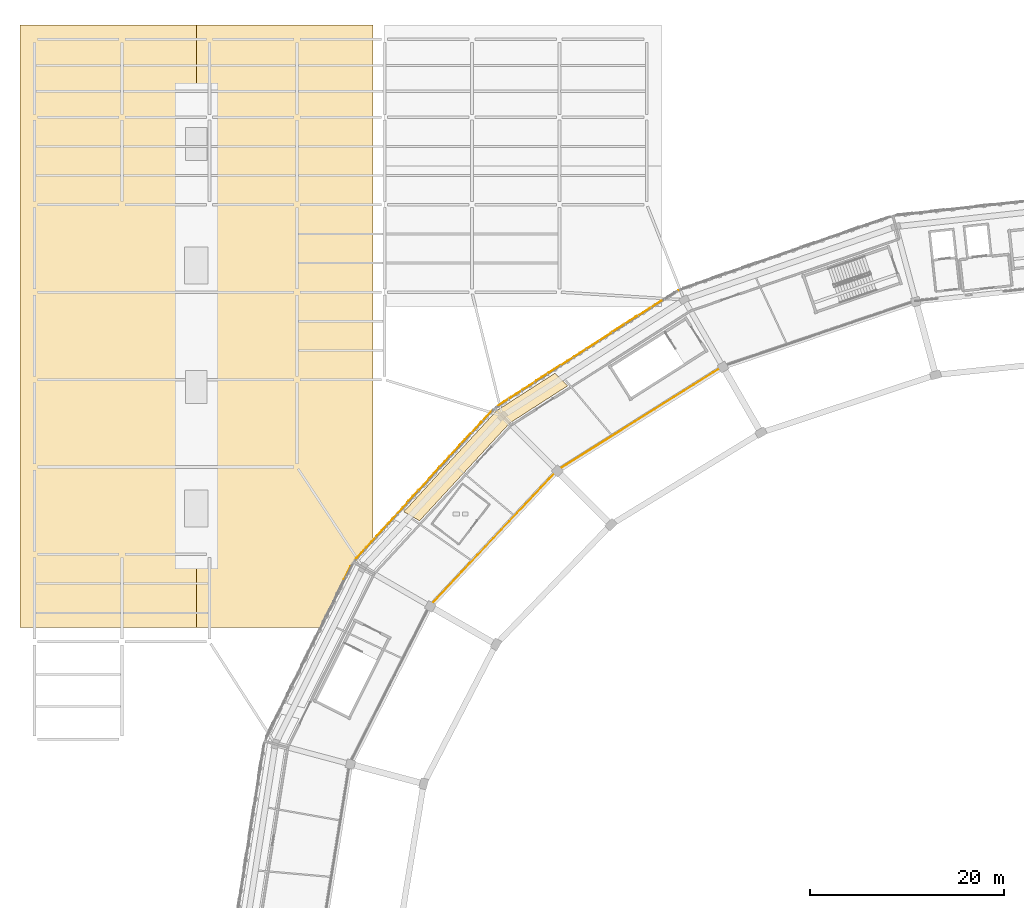
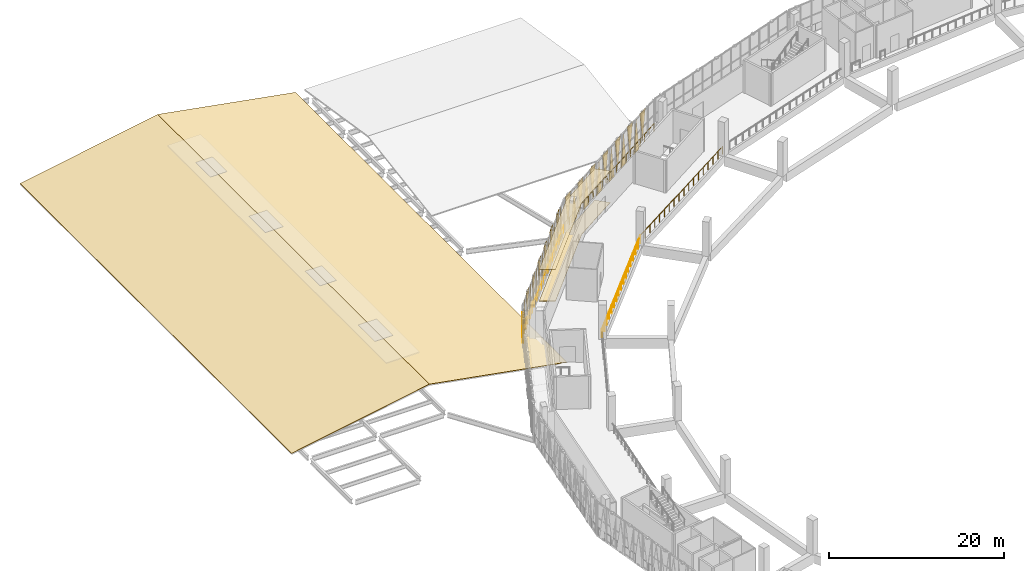
# One storey, part 98 of 108: 31 coverings, 4 railings.
"""IFC4 building model written with IfcOpenShell, lengths in metres."""

from ifc_helpers import new_model, si_unit, direction, frame, origin, origin_2d, place, context, subcontext, project, spatial, polyline, circle, outline, extrude, material, layer, layer_set, type_object, element, save


model = new_model("IFC4")

# Units and contexts
model_context = context("Model", 3, precision=1e-05, world=origin(), true_north=direction((0.0, 1.0)))
body_context = subcontext(model_context, "Body", "Model", "MODEL_VIEW")
ifc_project = project(units=[si_unit("LENGTHUNIT", "METRE"), si_unit("AREAUNIT", "SQUARE_METRE"), si_unit("VOLUMEUNIT", "CUBIC_METRE"), si_unit("PLANEANGLEUNIT", "RADIAN"), si_unit("MASSUNIT", "GRAM", prefix="KILO")], contexts=[model_context])

# Site, building, storey
site_placement = place(None, origin())
site = spatial("IfcSite", under=ifc_project, at=site_placement, CompositionType="ELEMENT")
building_placement = place(site_placement, origin())
building = spatial("IfcBuilding", under=site, at=building_placement, Name="Zevraka Park Crest Stadium", CompositionType="ELEMENT")
storey_placement = place(building_placement, frame((0.0, 0.0, 19.800048828125)))
storey = spatial("IfcBuildingStorey", under=building, at=storey_placement, Name="L04", CompositionType="ELEMENT", Elevation=19.800048828125)

# Coverings
ifc_material_1 = material(Name="Architectural golden-bronze perforated aluminium", Category="aluminium")
ifc_layer_1 = layer(ifc_material_1, 0.034912109375)
ifc_layer_set_1 = layer_set([ifc_layer_1], Name="Architectural golden-bronze perforated aluminium")
covering_type_1 = type_object("IfcCoveringType", Name="CLD01", PredefinedType="CLADDING", material=ifc_layer_set_1)
covering_1_placement = place(storey_placement, frame((63.340087890625, 156.384033203125, 4.52001953125), z_axis=(-0.540195362812, 0.841539638734, 8.0223789e-05), x_axis=(0.841539641442, 0.54019536455, 0.0)))
element("IfcCovering", 1, at=covering_1_placement, inside=storey, type_object=covering_type_1, Name="Triangular Golden-Bronze Perforated Cladding L04-08-2", PredefinedType="CLADDING", context=body_context, shape_type="SweptSolid", body=[
    extrude(outline(polyline([(0.0, 0.0), (1.382963204657725, -2.0328790734103208e-20), (0.6918480966037213, 4.300048841962249), (0.0, 0.0)])), origin(), (0.0, 0.0, -1.0), 0.034912109375),
])
covering_2_placement = place(storey_placement, frame((63.205078125, 156.298095703125, -0.219970703125), z_axis=(-0.540294068844, 0.841476271712, 5.7603718e-05), x_axis=(-0.841476273108, -0.540294069741, 0.0)))
element("IfcCovering", 2, at=covering_2_placement, inside=storey, type_object=covering_type_1, Name="Triangular Golden-Bronze Perforated Cladding L04-08-3", PredefinedType="CLADDING", context=body_context, shape_type="SweptSolid", body=[
    extrude(outline(polyline([(0.0, 0.0), (1.384518018787818, 0.0), (0.6918481323074307, 4.579833991973376), (0.0, 0.0)])), origin(), (0.0, 0.0, -1.0), 0.034912109375),
])
covering_3_placement = place(storey_placement, frame((60.740966796875, 154.717041015625, 4.52001953125), z_axis=(0.539794341727, -0.841796927687, 3.4293146e-05), x_axis=(0.841796928182, 0.539794342045, 0.0)))
element("IfcCovering", 3, at=covering_3_placement, inside=storey, type_object=covering_type_1, Name="Triangular Golden-Bronze Perforated Cladding L04-08-4", PredefinedType="CLADDING", context=body_context, shape_type="SweptSolid", body=[
    extrude(outline(polyline([(0.0, 0.0), (1.3839906318215187, 0.0), (0.691320710798344, -4.300048830653472), (0.0, 0.0)])), origin(), (0.0, 0.0, -1.0), 0.034912109375),
])
covering_4_placement = place(storey_placement, frame((60.60595703125, 154.6298828125, -0.219970703125), z_axis=(0.539669320055, -0.841877082479, 5.4659314e-05), x_axis=(-0.841877083737, -0.539669320861, 0.0)))
element("IfcCovering", 4, at=covering_4_placement, inside=storey, type_object=covering_type_1, Name="Triangular Golden-Bronze Perforated Cladding L04-08-5", PredefinedType="CLADDING", context=body_context, shape_type="SweptSolid", body=[
    extrude(outline(polyline([(0.0, 0.0), (1.383858861354129, 0.0), (0.6911889698690501, -4.579833991216449), (0.0, 0.0)])), origin(), (0.0, 0.0, -1.0), 0.034912109375),
])
covering_5_placement = place(storey_placement, frame((58.14208984375, 153.049072265625, 4.52001953125), z_axis=(-0.540374248914, 0.841424785107, 4.6020631e-05), x_axis=(0.841424785998, 0.540374249486, 0.0)))
element("IfcCovering", 5, at=covering_5_placement, inside=storey, type_object=covering_type_1, Name="Triangular Golden-Bronze Perforated Cladding L04-08-6", PredefinedType="CLADDING", context=body_context, shape_type="SweptSolid", body=[
    extrude(outline(polyline([(0.0, 0.0), (1.38431258652916, -6.776263578034403e-21), (0.6918481543048638, 4.300048832678534), (0.0, 0.0)])), origin(), (0.0, 0.0, -1.0), 0.034912109375),
])
covering_6_placement = place(storey_placement, frame((58.007080078125, 152.962890625, -0.219970703125), z_axis=(-0.539669316655, 0.841877077175, 0.000124854963), x_axis=(-0.841877083737, -0.539669320861, 0.0)))
element("IfcCovering", 6, at=covering_6_placement, inside=storey, type_object=covering_type_1, Name="Triangular Golden-Bronze Perforated Cladding L04-08-7", PredefinedType="CLADDING", context=body_context, shape_type="SweptSolid", body=[
    extrude(outline(polyline([(0.0, 0.0), (1.383858861354129, 0.0), (0.6917159906902037, 4.579834020071972), (0.0, 0.0)])), origin(), (0.0, 0.0, -1.0), 0.034912109375),
])
covering_7_placement = place(storey_placement, frame((55.54296875, 151.382080078125, 4.52001953125), z_axis=(-0.539669312043, 0.84187706998, 0.000180777341), x_axis=(0.841877083737, 0.539669320861, 0.0)))
element("IfcCovering", 7, at=covering_7_placement, inside=storey, type_object=covering_type_1, Name="Triangular Golden-Bronze Perforated Cladding L04-08-8", PredefinedType="CLADDING", context=body_context, shape_type="SweptSolid", body=[
    extrude(outline(polyline([(0.0, 0.0), (1.383858861354129, -2.710505431213761e-20), (0.6918477458954921, 4.300048898388761), (0.0, 0.0)])), origin(), (0.0, 0.0, -1.0), 0.034912109375),
])
covering_8_placement = place(storey_placement, frame((55.407958984375, 151.2958984375, -0.219970703125), z_axis=(-0.540169191028, 0.841556441261, 3.5159665e-05), x_axis=(-0.841556441782, -0.540169191361, 0.0)))
element("IfcCovering", 8, at=covering_8_placement, inside=storey, type_object=covering_type_1, Name="Triangular Golden-Bronze Perforated Cladding L04-08-9", PredefinedType="CLADDING", context=body_context, shape_type="SweptSolid", body=[
    extrude(outline(polyline([(0.0, 0.0), (1.3843861262991644, -3.3881317890172014e-21), (0.6917162082962512, 4.5798339872058005), (0.0, 0.0)])), origin(), (0.0, 0.0, -1.0), 0.034912109375),
])
covering_9_placement = place(storey_placement, frame((52.944091796875, 149.715087890625, 4.52001953125), z_axis=(0.539749483727, -0.841825690377, 4.2876882e-05), x_axis=(0.84182569115, 0.539749484223, 0.0)))
element("IfcCovering", 9, at=covering_9_placement, inside=storey, type_object=covering_type_1, Name="Triangular Golden-Bronze Perforated Cladding L04-08-10", PredefinedType="CLADDING", context=body_context, shape_type="SweptSolid", body=[
    extrude(outline(polyline([(0.0, 0.0), (1.3836533312297754, 0.0), (0.6909834190478873, -4.300048832077664), (0.0, 0.0)])), origin(), (0.0, 0.0, -1.0), 0.034912109375),
])
covering_10_placement = place(storey_placement, frame((52.80908203125, 149.6279296875, -0.219970703125), z_axis=(0.539669320836, -0.841877083696, 9.780744e-06), x_axis=(-0.841877083737, -0.539669320861, 0.0)))
element("IfcCovering", 10, at=covering_10_placement, inside=storey, type_object=covering_type_1, Name="Triangular Golden-Bronze Perforated Cladding L04-08-11", PredefinedType="CLADDING", context=body_context, shape_type="SweptSolid", body=[
    extrude(outline(polyline([(0.0, 0.0), (1.383858861354129, 0.0), (0.6913207250743385, -4.57983398459406), (0.0, 0.0)])), origin(), (0.0, 0.0, -1.0), 0.034912109375),
])
covering_11_placement = place(storey_placement, frame((50.344970703125, 148.047119140625, 4.52001953125), z_axis=(-0.540169190983, 0.841556441191, 3.7447349e-05), x_axis=(0.841556441782, 0.540169191361, 0.0)))
element("IfcCovering", 11, at=covering_11_placement, inside=storey, type_object=covering_type_1, Name="Triangular Golden-Bronze Perforated Cladding L04-08-12", PredefinedType="CLADDING", context=body_context, shape_type="SweptSolid", body=[
    extrude(outline(polyline([(0.0, 0.0), (1.3843861262991644, -6.776263578034403e-21), (0.6917162082962512, 4.300048831139988), (0.0, 0.0)])), origin(), (0.0, 0.0, -1.0), 0.034912109375),
])
covering_12_placement = place(storey_placement, frame((50.2099609375, 147.9609375, -0.219970703125), z_axis=(-0.539990084458, 0.84167137061, 0.000112169008), x_axis=(-0.841671375905, -0.539990087855, 0.0)))
element("IfcCovering", 12, at=covering_12_placement, inside=storey, type_object=covering_type_1, Name="Triangular Golden-Bronze Perforated Cladding L04-08-13", PredefinedType="CLADDING", context=body_context, shape_type="SweptSolid", body=[
    extrude(outline(polyline([(0.0, 0.0), (1.3830368161779776, 1.3552527156068805e-20), (0.6918479918828457, 4.579834013186477), (0.0, 0.0)])), origin(), (0.0, 0.0, -1.0), 0.034912109375),
])
covering_13_placement = place(storey_placement, frame((47.74609375, 146.3798828125, 4.52001953125), z_axis=(-0.539874500701, 0.841745504197, 0.000172212415), x_axis=(0.841745516679, 0.539874508706, 0.0)))
element("IfcCovering", 13, at=covering_13_placement, inside=storey, type_object=covering_type_1, Name="Triangular Golden-Bronze Perforated Cladding L04-08-14", PredefinedType="CLADDING", context=body_context, shape_type="SweptSolid", body=[
    extrude(outline(polyline([(0.0, 0.0), (1.3837851212687016, 2.710505431213761e-20), (0.6916424105429726, 4.300048891888524), (0.0, 0.0)])), origin(), (0.0, 0.0, -1.0), 0.034912109375),
])
covering_14_placement = place(storey_placement, frame((46.94189453125, 145.7041015625, -0.219970703125), z_axis=(-0.73669182447, 0.6762286266, 1.8024112e-05), x_axis=(-0.67622862671, -0.73669182459, 0.0)))
element("IfcCovering", 14, at=covering_14_placement, inside=storey, type_object=covering_type_1, Name="Triangular Golden-Bronze Perforated Cladding L04-09-1", PredefinedType="CLADDING", context=body_context, shape_type="SweptSolid", body=[
    extrude(outline(polyline([(0.0, 0.0), (1.4253569716340697, 3.3881317890172014e-21), (0.7127684140182788, 4.579833985118923), (0.0, 0.0)])), origin(), (0.0, 0.0, -1.0), 0.034912109375),
])
covering_15_placement = place(storey_placement, frame((44.906005859375, 143.486083984375, 4.52001953125), z_axis=(-0.73652814677, 0.67640689572, 2.0908651e-05), x_axis=(0.676406895868, 0.736528146931, 0.0)))
element("IfcCovering", 15, at=covering_15_placement, inside=storey, type_object=covering_type_1, Name="Triangular Golden-Bronze Perforated Cladding L04-09-2", PredefinedType="CLADDING", context=body_context, shape_type="SweptSolid", body=[
    extrude(outline(polyline([(0.0, 0.0), (1.4253422518524892, -3.3881317890172014e-21), (0.7125885567250888, 4.30004882906493), (0.0, 0.0)])), origin(), (0.0, 0.0, -1.0), 0.034912109375),
])
covering_16_placement = place(storey_placement, frame((44.798095703125, 143.367919921875, -0.219970703125), z_axis=(0.736869540714, -0.676034962353, 9.8202135e-05), x_axis=(-0.676034965613, -0.736869544267, 0.0)))
element("IfcCovering", 16, at=covering_16_placement, inside=storey, type_object=covering_type_1, Name="Triangular Golden-Bronze Perforated Cladding L04-09-3", PredefinedType="CLADDING", context=body_context, shape_type="SweptSolid", body=[
    extrude(outline(polyline([(0.0, 0.0), (1.4246818798077332, -1.3552527156068805e-20), (0.712753558901433, -4.57983400645818), (0.0, 0.0)])), origin(), (0.0, 0.0, -1.0), 0.034912109375),
])
covering_17_placement = place(storey_placement, frame((42.762939453125, 141.14990234375, 4.52001953125), z_axis=(0.736947844545, -0.675949603983, 8.5413888e-05), x_axis=(0.675949606449, 0.736947847233, 0.0)))
element("IfcCovering", 17, at=covering_17_placement, inside=storey, type_object=covering_type_1, Name="Triangular Golden-Bronze Perforated Cladding L04-09-4", PredefinedType="CLADDING", context=body_context, shape_type="SweptSolid", body=[
    extrude(outline(polyline([(0.0, 0.0), (1.4248617891578852, -1.3552527156068805e-20), (0.7129334209314178, -4.300048843810572), (0.0, 0.0)])), origin(), (0.0, 0.0, -1.0), 0.034912109375),
])
covering_18_placement = place(storey_placement, frame((42.655029296875, 141.031982421875, -0.219970703125), z_axis=(0.736292908561, -0.676662949943, 7.0553383e-05), x_axis=(-0.676662951627, -0.736292910393, 0.0)))
element("IfcCovering", 18, at=covering_18_placement, inside=storey, type_object=covering_type_1, Name="Triangular Golden-Bronze Perforated Cladding L04-09-5", PredefinedType="CLADDING", context=body_context, shape_type="SweptSolid", body=[
    extrude(outline(polyline([(0.0, 0.0), (1.4248028886560142, 1.3552527156068805e-20), (0.7118694463417287, -4.579833995773702), (0.0, 0.0)])), origin(), (0.0, 0.0, -1.0), 0.034912109375),
])
covering_19_placement = place(storey_placement, frame((40.618896484375, 138.81494140625, 4.52001953125), z_axis=(0.736606499774, -0.676321568847, 1.711376e-06), x_axis=(0.676321568848, 0.736606499776, 0.0)))
element("IfcCovering", 19, at=covering_19_placement, inside=storey, type_object=covering_type_1, Name="Triangular Golden-Bronze Perforated Cladding L04-09-6", PredefinedType="CLADDING", context=body_context, shape_type="SweptSolid", body=[
    extrude(outline(polyline([(0.0, 0.0), (1.4255220778597701, 2.117582368135751e-22), (0.7129335155007621, -4.300048828131297), (0.0, 0.0)])), origin(), (0.0, 0.0, -1.0), 0.034912109375),
])
covering_20_placement = place(storey_placement, frame((40.510986328125, 138.697021484375, -0.219970703125), z_axis=(-0.737033202812, 0.675856533804, 6.0564963e-05), x_axis=(-0.675856535043, -0.737033204163, 0.0)))
element("IfcCovering", 20, at=covering_20_placement, inside=storey, type_object=covering_type_1, Name="Triangular Golden-Bronze Perforated Cladding L04-09-7", PredefinedType="CLADDING", context=body_context, shape_type="SweptSolid", body=[
    extrude(outline(polyline([(0.0, 0.0), (1.4246967737590959, -6.776263578034403e-21), (0.7119284089322413, 4.579833992774678), (0.0, 0.0)])), origin(), (0.0, 0.0, -1.0), 0.034912109375),
])
covering_21_placement = place(storey_placement, frame((38.47607421875, 136.47900390625, 4.52001953125), z_axis=(0.736691824454, -0.676228626586, 1.9196861e-05), x_axis=(0.67622862671, 0.73669182459, 0.0)))
element("IfcCovering", 21, at=covering_21_placement, inside=storey, type_object=covering_type_1, Name="Triangular Golden-Bronze Perforated Cladding L04-09-8", PredefinedType="CLADDING", context=body_context, shape_type="SweptSolid", body=[
    extrude(outline(polyline([(0.0, 0.0), (1.4253569716340697, 1.6940658945086007e-21), (0.712588557615791, -4.300048828917326), (0.0, 0.0)])), origin(), (0.0, 0.0, -1.0), 0.034912109375),
])
covering_22_placement = place(storey_placement, frame((38.367919921875, 136.361083984375, -0.219970703125), z_axis=(-0.736378282027, 0.676570038968, 9.0166059e-05), x_axis=(-0.676570041718, -0.736378285021, 0.0)))
element("IfcCovering", 22, at=covering_22_placement, inside=storey, type_object=covering_type_1, Name="Triangular Golden-Bronze Perforated Cladding L04-09-9", PredefinedType="CLADDING", context=body_context, shape_type="SweptSolid", body=[
    extrude(outline(polyline([(0.0, 0.0), (1.4246376990809737, -1.3552527156068805e-20), (0.7127682991773403, 4.579834002991838), (0.0, 0.0)])), origin(), (0.0, 0.0, -1.0), 0.034912109375),
])
covering_23_placement = place(storey_placement, frame((36.3330078125, 134.14404296875, 4.52001953125), z_axis=(-0.73703320263, 0.675856533637, 6.4505657e-05), x_axis=(0.675856535043, 0.737033204163, 0.0)))
element("IfcCovering", 23, at=covering_23_placement, inside=storey, type_object=covering_type_1, Name="Triangular Golden-Bronze Perforated Cladding L04-09-10", PredefinedType="CLADDING", context=body_context, shape_type="SweptSolid", body=[
    extrude(outline(polyline([(0.0, 0.0), (1.4246967737590959, 0.0), (0.7119284089322413, 4.300048837071208), (0.0, 0.0)])), origin(), (0.0, 0.0, -1.0), 0.034912109375),
])
covering_24_placement = place(storey_placement, frame((36.22412109375, 134.02587890625, -0.219970703125), z_axis=(-0.736869542988, 0.676034964439, 5.8921281e-05), x_axis=(-0.676034965613, -0.736869544267, 0.0)))
element("IfcCovering", 24, at=covering_24_placement, inside=storey, type_object=covering_type_1, Name="Triangular Golden-Bronze Perforated Cladding L04-09-11", PredefinedType="CLADDING", context=body_context, shape_type="SweptSolid", body=[
    extrude(outline(polyline([(0.0, 0.0), (1.4246818798077332, 0.0), (0.7120933685053268, 4.579833992324945), (0.0, 0.0)])), origin(), (0.0, 0.0, -1.0), 0.034912109375),
])
covering_25_placement = place(storey_placement, frame((34.18896484375, 131.80810546875, 4.52001953125), z_axis=(-0.73652814677, 0.67640689572, 2.0908651e-05), x_axis=(0.676406895868, 0.736528146931, 0.0)))
element("IfcCovering", 25, at=covering_25_placement, inside=storey, type_object=covering_type_1, Name="Triangular Golden-Bronze Perforated Cladding L04-09-12", PredefinedType="CLADDING", context=body_context, shape_type="SweptSolid", body=[
    extrude(outline(polyline([(0.0, 0.0), (1.4253422518524892, -3.3881317890172014e-21), (0.7125885567250888, 4.30004882906493), (0.0, 0.0)])), origin(), (0.0, 0.0, -1.0), 0.034912109375),
])
covering_26_placement = place(storey_placement, frame((34.0810546875, 131.68994140625, -0.219970703125), z_axis=(-0.736606499775, 0.676321568847, 1.606827e-06), x_axis=(-0.676321568848, -0.736606499776, 0.0)))
element("IfcCovering", 26, at=covering_26_placement, inside=storey, type_object=covering_type_1, Name="Triangular Golden-Bronze Perforated Cladding L04-09-13", PredefinedType="CLADDING", context=body_context, shape_type="SweptSolid", body=[
    extrude(outline(polyline([(0.0, 0.0), (1.4255220778597701, 2.117582368135751e-22), (0.7125885623590082, 4.579833984380912), (0.0, 0.0)])), origin(), (0.0, 0.0, -1.0), 0.034912109375),
])
covering_27_placement = place(storey_placement, frame((32.52392578125, 129.77490234375, -0.219970703125), z_axis=(0.895905829661, -0.444244013052, 3.5324757e-05), x_axis=(-0.444244013329, -0.89590583022, 0.0)))
element("IfcCovering", 27, at=covering_27_placement, inside=storey, type_object=covering_type_1, Name="Triangular Golden-Bronze Perforated Cladding L04-10-1", PredefinedType="CLADDING", context=body_context, shape_type="SweptSolid", body=[
    extrude(outline(polyline([(0.0, 0.0), (1.4810756355382801, -3.3881317890172014e-21), (0.7399367712402793, -4.579833987232447), (0.0, 0.0)])), origin(), (0.0, 0.0, -1.0), 0.034912109375),
])
ifc_material_2 = material(Name="Perforated acoustic mineral-fibre suspended ceiling", Category="other")
ifc_layer_2 = layer(ifc_material_2, 0.02490234375)
ifc_layer_set_2 = layer_set([ifc_layer_2], Name="Perforated acoustic mineral-fibre suspended ceiling")
covering_type_2 = type_object("IfcCoveringType", Name="CLG01", PredefinedType="CEILING", material=ifc_layer_set_2)
covering_28_placement = place(storey_placement, frame((0.0, 0.0, 4.39990234375)))
element("IfcCovering", 28, at=covering_28_placement, inside=storey, type_object=covering_type_2, Name="Acoustic Ceiling Hospitality Suite L04-031", PredefinedType="CEILING", context=body_context, shape_type="SweptSolid", body=[
    extrude(outline(polyline([(37.9951171875, 135.39306640625), (47.54296875, 145.797119140625), (53.5400390625, 149.64404296875), (54.85400390625, 148.35791015625), (48.9169921875, 144.535888671875), (48.903076171875, 144.52587890625), (48.889892578125, 144.51611328125), (48.8779296875, 144.50390625), (39.617919921875, 134.468994140625), (37.9951171875, 135.39306640625)])), origin(), (0.0, 0.0, 1.0), 0.025146484375),
])
ifc_material_3 = material(Name="Honed terrazzo and slip-resistant sports flooring", Category="other")
ifc_layer_3 = layer(ifc_material_3, 0.0400390625)
ifc_layer_set_3 = layer_set([ifc_layer_3], Name="Honed terrazzo and slip-resistant sports flooring")
covering_type_3 = type_object("IfcCoveringType", Name="FLR01", PredefinedType="FLOORING", material=ifc_layer_set_3)
covering_29_placement = place(storey_placement, origin())
element("IfcCovering", 29, at=covering_29_placement, inside=storey, type_object=covering_type_3, Name="Terrazzo Floor Finish Hospitality Suite L04-031", PredefinedType="FLOORING", context=body_context, shape_type="SweptSolid", body=[
    extrude(outline(polyline([(37.9951171875, 135.39306640625), (47.54296875, 145.797119140625), (53.5400390625, 149.64404296875), (54.85400390625, 148.35791015625), (48.9169921875, 144.535888671875), (48.903076171875, 144.52587890625), (48.889892578125, 144.51611328125), (48.8779296875, 144.50390625), (39.617919921875, 134.468994140625), (37.9951171875, 135.39306640625)])), origin(), (0.0, 0.0, 1.0), 0.0400390625),
])

# Railings
ifc_material_4 = material(Name="Galvanised and bronze-finished steel balustrade", Category="steel")
railing_type = type_object("IfcRailingType", Name="GR01", PredefinedType="GUARDRAIL", material=ifc_material_4)
railing_1_placement = place(storey_placement, frame((33.076904296875, 130.492919921875, 0.0)))
element("IfcRailing", 30, at=railing_1_placement, inside=storey, type_object=railing_type, Name="Deck Edge Protection Guardrail GR01 L04-3", PredefinedType="GUARDRAIL", context=body_context, shape_type="SweptSolid", body=[
    extrude(circle(Radius=0.02392578125, at=origin_2d()), frame((0.0, 0.0, 1.076171875), z_axis=(0.676163570865, 0.736751535753, 0.0), x_axis=(-0.736751535753, 0.676163570865, 0.0)), (0.0, 0.0, 1.0), 20.748046875),
    extrude(circle(Radius=0.02099609375, at=origin_2d()), origin(), (0.0, 0.0, 1.0), 1.052001953125),
    extrude(circle(Radius=0.02099609375, at=origin_2d()), frame((0.779296875, 0.84912109375, 0.0)), (0.0, 0.0, 1.0), 1.052001953125),
    extrude(circle(Radius=0.02099609375, at=origin_2d()), frame((1.558837890625, 1.698486328125, 0.0)), (0.0, 0.0, 1.0), 1.052001953125),
    extrude(circle(Radius=0.02099609375, at=origin_2d()), frame((2.338134765625, 2.547607421875, 0.0)), (0.0, 0.0, 1.0), 1.052001953125),
    extrude(circle(Radius=0.02099609375, at=origin_2d()), frame((3.11767578125, 3.39697265625, 0.0)), (0.0, 0.0, 1.0), 1.052001953125),
    extrude(circle(Radius=0.02099609375, at=origin_2d()), frame((3.89697265625, 4.24609375, 0.0)), (0.0, 0.0, 1.0), 1.052001953125),
    extrude(circle(Radius=0.02099609375, at=origin_2d()), frame((4.67626953125, 5.095458984375, 0.0)), (0.0, 0.0, 1.0), 1.052001953125),
    extrude(circle(Radius=0.02099609375, at=origin_2d()), frame((5.455810546875, 5.944580078125, 0.0)), (0.0, 0.0, 1.0), 1.052001953125),
    extrude(circle(Radius=0.02099609375, at=origin_2d()), frame((6.235107421875, 6.7939453125, 0.0)), (0.0, 0.0, 1.0), 1.052001953125),
    extrude(circle(Radius=0.02099609375, at=origin_2d()), frame((7.0146484375, 7.64306640625, 0.0)), (0.0, 0.0, 1.0), 1.052001953125),
    extrude(circle(Radius=0.02099609375, at=origin_2d()), frame((7.7939453125, 8.4921875, 0.0)), (0.0, 0.0, 1.0), 1.052001953125),
    extrude(circle(Radius=0.02099609375, at=origin_2d()), frame((8.5732421875, 9.341552734375, 0.0)), (0.0, 0.0, 1.0), 1.052001953125),
    extrude(circle(Radius=0.02099609375, at=origin_2d()), frame((9.352783203125, 10.190673828125, 0.0)), (0.0, 0.0, 1.0), 1.052001953125),
    extrude(circle(Radius=0.02099609375, at=origin_2d()), frame((10.132080078125, 11.0400390625, 0.0)), (0.0, 0.0, 1.0), 1.052001953125),
    extrude(circle(Radius=0.02099609375, at=origin_2d()), frame((10.911376953125, 11.88916015625, 0.0)), (0.0, 0.0, 1.0), 1.052001953125),
    extrude(circle(Radius=0.02099609375, at=origin_2d()), frame((11.69091796875, 12.738525390625, 0.0)), (0.0, 0.0, 1.0), 1.052001953125),
    extrude(circle(Radius=0.02099609375, at=origin_2d()), frame((12.47021484375, 13.587646484375, 0.0)), (0.0, 0.0, 1.0), 1.052001953125),
    extrude(circle(Radius=0.02099609375, at=origin_2d()), frame((13.249755859375, 14.43701171875, 0.0)), (0.0, 0.0, 1.0), 1.052001953125),
    extrude(circle(Radius=0.02099609375, at=origin_2d()), frame((14.029052734375, 15.2861328125, 0.0)), (0.0, 0.0, 1.0), 1.052001953125),
])
railing_2_placement = place(storey_placement, frame((47.660888671875, 146.241943359375, 0.0)))
element("IfcRailing", 31, at=railing_2_placement, inside=storey, type_object=railing_type, Name="Deck Edge Protection Guardrail GR01 L04-4", PredefinedType="GUARDRAIL", context=body_context, shape_type="SweptSolid", body=[
    extrude(circle(Radius=0.02392578125, at=origin_2d()), frame((0.0, 0.0, 1.076171875), z_axis=(0.841672221667, 0.539988769581, 0.0), x_axis=(-0.539988769581, 0.841672221667, 0.0)), (0.0, 0.0, 1.0), 22.122802734375),
    extrude(circle(Radius=0.02099609375, at=origin_2d()), origin(), (0.0, 0.0, 1.0), 1.052001953125),
    extrude(circle(Radius=0.02099609375, at=origin_2d()), frame((0.97998046875, 0.628662109375, 0.0)), (0.0, 0.0, 1.0), 1.052001953125),
    extrude(circle(Radius=0.02099609375, at=origin_2d()), frame((1.9599609375, 1.257568359375, 0.0)), (0.0, 0.0, 1.0), 1.052001953125),
    extrude(circle(Radius=0.02099609375, at=origin_2d()), frame((2.93994140625, 1.88623046875, 0.0)), (0.0, 0.0, 1.0), 1.052001953125),
    extrude(circle(Radius=0.02099609375, at=origin_2d()), frame((3.919921875, 2.514892578125, 0.0)), (0.0, 0.0, 1.0), 1.052001953125),
    extrude(circle(Radius=0.02099609375, at=origin_2d()), frame((4.900146484375, 3.143798828125, 0.0)), (0.0, 0.0, 1.0), 1.052001953125),
    extrude(circle(Radius=0.02099609375, at=origin_2d()), frame((5.880126953125, 3.7724609375, 0.0)), (0.0, 0.0, 1.0), 1.052001953125),
    extrude(circle(Radius=0.02099609375, at=origin_2d()), frame((6.860107421875, 4.401123046875, 0.0)), (0.0, 0.0, 1.0), 1.052001953125),
    extrude(circle(Radius=0.02099609375, at=origin_2d()), frame((7.840087890625, 5.030029296875, 0.0)), (0.0, 0.0, 1.0), 1.052001953125),
    extrude(circle(Radius=0.02099609375, at=origin_2d()), frame((8.820068359375, 5.65869140625, 0.0)), (0.0, 0.0, 1.0), 1.052001953125),
    extrude(circle(Radius=0.02099609375, at=origin_2d()), frame((9.800048828125, 6.287353515625, 0.0)), (0.0, 0.0, 1.0), 1.052001953125),
    extrude(circle(Radius=0.02099609375, at=origin_2d()), frame((10.780029296875, 6.916015625, 0.0)), (0.0, 0.0, 1.0), 1.052001953125),
    extrude(circle(Radius=0.02099609375, at=origin_2d()), frame((11.760009765625, 7.544921875, 0.0)), (0.0, 0.0, 1.0), 1.052001953125),
    extrude(circle(Radius=0.02099609375, at=origin_2d()), frame((12.739990234375, 8.173583984375, 0.0)), (0.0, 0.0, 1.0), 1.052001953125),
    extrude(circle(Radius=0.02099609375, at=origin_2d()), frame((13.719970703125, 8.80224609375, 0.0)), (0.0, 0.0, 1.0), 1.052001953125),
    extrude(circle(Radius=0.02099609375, at=origin_2d()), frame((14.7001953125, 9.43115234375, 0.0)), (0.0, 0.0, 1.0), 1.052001953125),
    extrude(circle(Radius=0.02099609375, at=origin_2d()), frame((15.68017578125, 10.059814453125, 0.0)), (0.0, 0.0, 1.0), 1.052001953125),
    extrude(circle(Radius=0.02099609375, at=origin_2d()), frame((16.66015625, 10.6884765625, 0.0)), (0.0, 0.0, 1.0), 1.052001953125),
    extrude(circle(Radius=0.02099609375, at=origin_2d()), frame((17.64013671875, 11.3173828125, 0.0)), (0.0, 0.0, 1.0), 1.052001953125),
    extrude(circle(Radius=0.02099609375, at=origin_2d()), frame((18.6201171875, 11.946044921875, 0.0)), (0.0, 0.0, 1.0), 1.052001953125),
])
railing_3_placement = place(storey_placement, frame((70.806884765625, 150.340087890625, 0.0)))
element("IfcRailing", 32, at=railing_3_placement, inside=storey, type_object=railing_type, Name="Deck Edge Protection Guardrail GR01 L04-47", PredefinedType="GUARDRAIL", context=body_context, shape_type="SweptSolid", body=[
    extrude(circle(Radius=0.02392578125, at=origin_2d()), frame((0.0, 0.0, 1.076171875), z_axis=(-0.847001662646, -0.5315902402, 0.0), x_axis=(0.5315902402, -0.847001662646, 0.0)), (0.0, 0.0, 1.0), 20.122802734375),
    extrude(circle(Radius=0.02099609375, at=origin_2d()), origin(), (0.0, 0.0, 1.0), 1.052001953125),
    extrude(circle(Radius=0.02099609375, at=origin_2d()), frame((-1.002685546875, -0.629150390625, 0.0)), (0.0, 0.0, 1.0), 1.052001953125),
    extrude(circle(Radius=0.02099609375, at=origin_2d()), frame((-2.005126953125, -1.258544921875, 0.0)), (0.0, 0.0, 1.0), 1.052001953125),
    extrude(circle(Radius=0.02099609375, at=origin_2d()), frame((-3.0078125, -1.8876953125, 0.0)), (0.0, 0.0, 1.0), 1.052001953125),
    extrude(circle(Radius=0.02099609375, at=origin_2d()), frame((-4.01025390625, -2.516845703125, 0.0)), (0.0, 0.0, 1.0), 1.052001953125),
    extrude(circle(Radius=0.02099609375, at=origin_2d()), frame((-5.012939453125, -3.146240234375, 0.0)), (0.0, 0.0, 1.0), 1.052001953125),
    extrude(circle(Radius=0.02099609375, at=origin_2d()), frame((-6.015625, -3.775390625, 0.0)), (0.0, 0.0, 1.0), 1.052001953125),
    extrude(circle(Radius=0.02099609375, at=origin_2d()), frame((-7.01806640625, -4.404541015625, 0.0)), (0.0, 0.0, 1.0), 1.052001953125),
    extrude(circle(Radius=0.02099609375, at=origin_2d()), frame((-8.020751953125, -5.033935546875, 0.0)), (0.0, 0.0, 1.0), 1.052001953125),
    extrude(circle(Radius=0.02099609375, at=origin_2d()), frame((-9.023193359375, -5.6630859375, 0.0)), (0.0, 0.0, 1.0), 1.052001953125),
    extrude(circle(Radius=0.02099609375, at=origin_2d()), frame((-10.02587890625, -6.29248046875, 0.0)), (0.0, 0.0, 1.0), 1.052001953125),
    extrude(circle(Radius=0.02099609375, at=origin_2d()), frame((-11.0283203125, -6.921630859375, 0.0)), (0.0, 0.0, 1.0), 1.052001953125),
    extrude(circle(Radius=0.02099609375, at=origin_2d()), frame((-12.031005859375, -7.55078125, 0.0)), (0.0, 0.0, 1.0), 1.052001953125),
    extrude(circle(Radius=0.02099609375, at=origin_2d()), frame((-13.03369140625, -8.18017578125, 0.0)), (0.0, 0.0, 1.0), 1.052001953125),
    extrude(circle(Radius=0.02099609375, at=origin_2d()), frame((-14.0361328125, -8.809326171875, 0.0)), (0.0, 0.0, 1.0), 1.052001953125),
    extrude(circle(Radius=0.02099609375, at=origin_2d()), frame((-15.038818359375, -9.4384765625, 0.0)), (0.0, 0.0, 1.0), 1.052001953125),
    extrude(circle(Radius=0.02099609375, at=origin_2d()), frame((-16.041259765625, -10.06787109375, 0.0)), (0.0, 0.0, 1.0), 1.052001953125),
    extrude(circle(Radius=0.02099609375, at=origin_2d()), frame((-17.0439453125, -10.697021484375, 0.0)), (0.0, 0.0, 1.0), 1.052001953125),
])
railing_4_placement = place(storey_placement, frame((53.762939453125, 139.64306640625, 0.0)))
element("IfcRailing", 33, at=railing_4_placement, inside=storey, type_object=railing_type, Name="Deck Edge Protection Guardrail GR01 L04-48", PredefinedType="GUARDRAIL", context=body_context, shape_type="SweptSolid", body=[
    extrude(circle(Radius=0.02392578125, at=origin_2d()), frame((0.0, 0.0, 1.076171875), z_axis=(-0.684315979341, -0.729185600803, 0.0), x_axis=(0.729185600803, -0.684315979341, 0.0)), (0.0, 0.0, 1.0), 19.12548828125),
    extrude(circle(Radius=0.02099609375, at=origin_2d()), origin(), (0.0, 0.0, 1.0), 1.052001953125),
    extrude(circle(Radius=0.02099609375, at=origin_2d()), frame((-0.81787109375, -0.87158203125, 0.0)), (0.0, 0.0, 1.0), 1.052001953125),
    extrude(circle(Radius=0.02099609375, at=origin_2d()), frame((-1.635986328125, -1.7431640625, 0.0)), (0.0, 0.0, 1.0), 1.052001953125),
    extrude(circle(Radius=0.02099609375, at=origin_2d()), frame((-2.4541015625, -2.614990234375, 0.0)), (0.0, 0.0, 1.0), 1.052001953125),
    extrude(circle(Radius=0.02099609375, at=origin_2d()), frame((-3.27197265625, -3.486572265625, 0.0)), (0.0, 0.0, 1.0), 1.052001953125),
    extrude(circle(Radius=0.02099609375, at=origin_2d()), frame((-4.08984375, -4.358154296875, 0.0)), (0.0, 0.0, 1.0), 1.052001953125),
    extrude(circle(Radius=0.02099609375, at=origin_2d()), frame((-4.907958984375, -5.229736328125, 0.0)), (0.0, 0.0, 1.0), 1.052001953125),
    extrude(circle(Radius=0.02099609375, at=origin_2d()), frame((-5.72607421875, -6.101318359375, 0.0)), (0.0, 0.0, 1.0), 1.052001953125),
    extrude(circle(Radius=0.02099609375, at=origin_2d()), frame((-6.5439453125, -6.97314453125, 0.0)), (0.0, 0.0, 1.0), 1.052001953125),
    extrude(circle(Radius=0.02099609375, at=origin_2d()), frame((-7.36181640625, -7.8447265625, 0.0)), (0.0, 0.0, 1.0), 1.052001953125),
    extrude(circle(Radius=0.02099609375, at=origin_2d()), frame((-8.179931640625, -8.71630859375, 0.0)), (0.0, 0.0, 1.0), 1.052001953125),
    extrude(circle(Radius=0.02099609375, at=origin_2d()), frame((-8.998046875, -9.587890625, 0.0)), (0.0, 0.0, 1.0), 1.052001953125),
    extrude(circle(Radius=0.02099609375, at=origin_2d()), frame((-9.81591796875, -10.45947265625, 0.0)), (0.0, 0.0, 1.0), 1.052001953125),
    extrude(circle(Radius=0.02099609375, at=origin_2d()), frame((-10.6337890625, -11.3310546875, 0.0)), (0.0, 0.0, 1.0), 1.052001953125),
    extrude(circle(Radius=0.02099609375, at=origin_2d()), frame((-11.451904296875, -12.202880859375, 0.0)), (0.0, 0.0, 1.0), 1.052001953125),
    extrude(circle(Radius=0.02099609375, at=origin_2d()), frame((-12.27001953125, -13.074462890625, 0.0)), (0.0, 0.0, 1.0), 1.052001953125),
    extrude(circle(Radius=0.02099609375, at=origin_2d()), frame((-13.087890625, -13.946044921875, 0.0)), (0.0, 0.0, 1.0), 1.052001953125),
])

# Coverings
ifc_material_5 = material(Name="Insulated standing-seam acoustic aluminium roofing", Category="aluminium")
ifc_layer_4 = layer(ifc_material_5, 0.06005859375)
ifc_layer_set_4 = layer_set([ifc_layer_4], Name="Insulated standing-seam acoustic aluminium roofing")
covering_type_4 = type_object("IfcCoveringType", Name="RCV01", PredefinedType="ROOFING", material=ifc_layer_set_4)
covering_30_placement = place(storey_placement, frame((-1.5, 185.5, -0.1201171875), z_axis=(-0.177838136969, 0.0, 0.984059752779), x_axis=(0.0, -1.0, 0.0)))
element("IfcCovering", 34, at=covering_30_placement, inside=storey, type_object=covering_type_4, Name="Pavilion Wide-Eave Standing-Seam Roofing NW-ROOF-W", PredefinedType="ROOFING", context=body_context, shape_type="SweptSolid", body=[
    extrude(outline(polyline([(0.0, 0.0), (62.0, 0.0), (62.0, 18.443902712712944), (0.0, 18.443902712712944), (0.0, 0.0)])), origin(), (0.0, 0.0, -1.0), 0.06005859375),
])
covering_31_placement = place(storey_placement, frame((34.800048828125, 123.5, -0.1201171875), z_axis=(0.177835820492, 0.0, 0.984060171407), x_axis=(0.0, 1.0, 0.0)))
element("IfcCovering", 35, at=covering_31_placement, inside=storey, type_object=covering_type_4, Name="Pavilion Wide-Eave Standing-Seam Roofing NW-ROOF-E", PredefinedType="ROOFING", context=body_context, shape_type="SweptSolid", body=[
    extrude(outline(polyline([(0.0, 0.0), (62.0, 0.0), (62.0, 18.44414296172713), (0.0, 18.44414296172713), (0.0, 0.0)])), origin(), (0.0, 0.0, -1.0), 0.06005859375),
])

save(model, "model.ifc")
